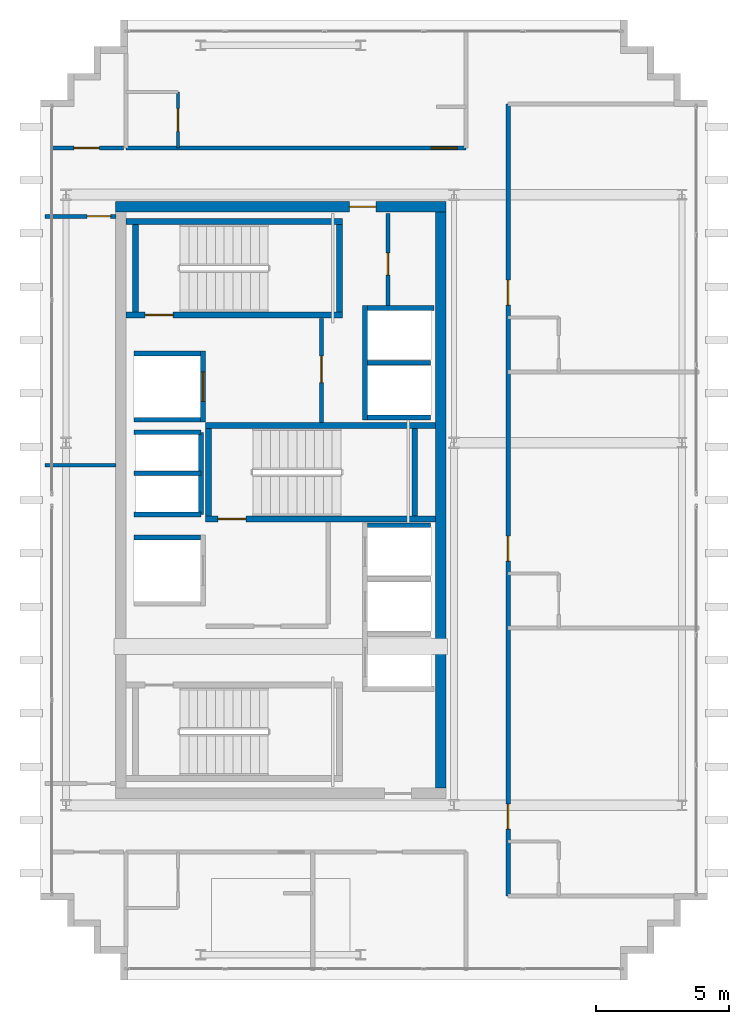
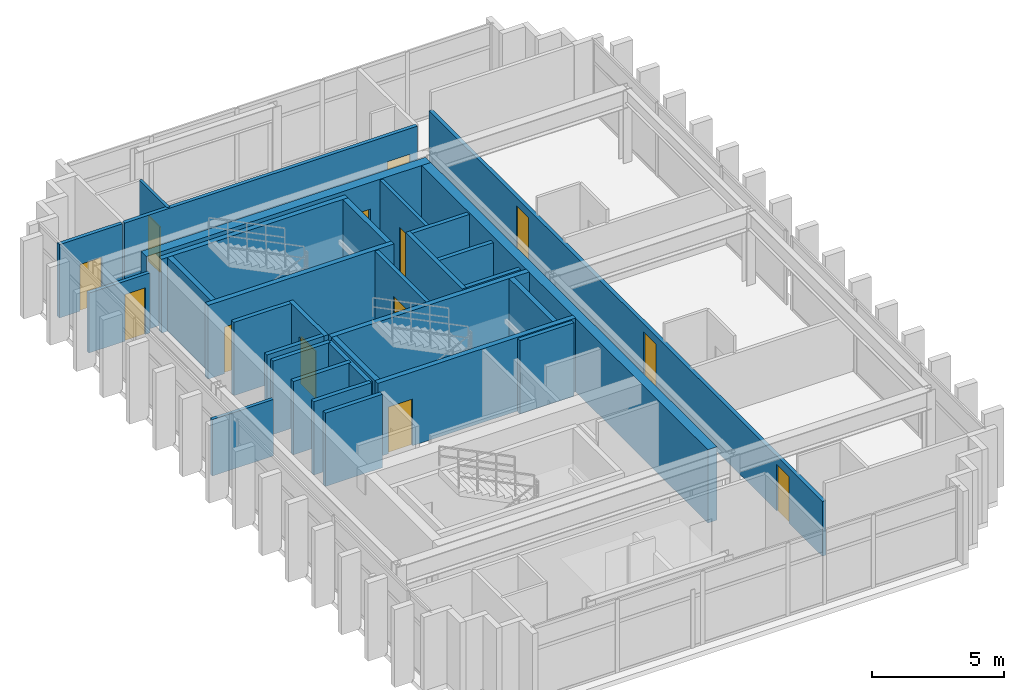
# One storey, part 13 of 15: 31 walls, 13 doors, 13 openings.
"""IFC4 building model written with IfcOpenShell, lengths in metres."""

from ifc_helpers import new_model, si_unit, direction, frame, frame_2d, origin, place, context, subcontext, project, spatial, rectangle, extrude, source, transform, mapped, material, layer, layer_set, type_object, element, fill, save


model = new_model("IFC4")

# Units and contexts
model_context = context("Model", 3, precision=1e-05, world=origin(), true_north=direction((0.0, 1.0)))
body_context = subcontext(model_context, "Body", "Model", "MODEL_VIEW")
ifc_project = project(units=[si_unit("LENGTHUNIT", "METRE"), si_unit("AREAUNIT", "SQUARE_METRE"), si_unit("VOLUMEUNIT", "CUBIC_METRE"), si_unit("PLANEANGLEUNIT", "RADIAN"), si_unit("MASSUNIT", "GRAM", prefix="KILO")], contexts=[model_context])

# Site, building, storey
site_placement = place(None, origin())
site = spatial("IfcSite", under=ifc_project, at=site_placement, CompositionType="ELEMENT")
building_placement = place(site_placement, origin())
building = spatial("IfcBuilding", under=site, at=building_placement, Name="Ocotamira Hotel", CompositionType="ELEMENT")
storey_placement = place(building_placement, frame((0.0, 0.0, 279.60009765625)))
storey = spatial("IfcBuildingStorey", under=building, at=storey_placement, Name="L71", CompositionType="ELEMENT", Elevation=279.60009765625)

# Wall, opening, door
ifc_material_1 = material(Name="Concrete C50/60", Category="concrete")
ifc_layer_1 = layer(ifc_material_1, 0.39990234375)
ifc_layer_set_1 = layer_set([ifc_layer_1], Name="Concrete C50/60")
wall_type_1 = type_object("IfcWallType", Name="WL-CORE-400", PredefinedType="SHEAR", material=ifc_layer_set_1)
wall_1_placement = place(storey_placement, frame((10.800048828125, 37.0, 0.0), z_axis=(0.0, 0.0, 1.0), x_axis=(1.0, 0.0, 0.0)))
wall_1 = element("IfcWall", 1, at=wall_1_placement, inside=storey, type_object=wall_type_1, Name="L71 Shear Core Wall WCORE-N", PredefinedType="SHEAR", context=body_context, shape_type="SweptSolid", body=[
    extrude(rectangle(XDim=12.39990234375, YDim=0.39990234375, at=frame_2d((6.199951171875, 0.0))), origin(), (0.0, 0.0, 1.0), 3.3798828125),
])
opening_1_placement = place(wall_1_placement, frame((8.780029296875, 0.0, 0.0)))
opening_1 = element("IfcOpeningElement", 2, at=opening_1_placement, cuts=wall_1, Name="Opening D-FR2", PredefinedType="OPENING", context=body_context, shape_type="SweptSolid", body=[
    extrude(rectangle(XDim=1.0, YDim=2.14990234375, at=frame_2d((0.5, 1.074951171875))), frame((0.0, 0.2099609375, 0.0), z_axis=(0.0, -1.0, 0.0), x_axis=(1.0, 0.0, 0.0)), (0.0, 0.0, 1.0), 0.419921875),
])
ifc_material_2 = material(Name="Fire-rated acoustic timber-veneer door", Category="wood")
door_type_1 = type_object("IfcDoorType", Name="DR-FIRE-1000", OperationType="NOTDEFINED", PredefinedType="DOOR", material=ifc_material_2)
shared_shape_1 = source(origin(), body_context, "Body", "SweptSolid", [
    extrude(rectangle(XDim=1.0, YDim=2.14990234375, at=frame_2d((0.5, 1.074951171875))), frame((0.0, 0.02490234375, 0.0), z_axis=(0.0, -1.0, 0.0), x_axis=(1.0, 0.0, 0.0)), (0.0, 0.0, 1.0), 0.050048828125),
])
door_1_placement = place(opening_1_placement, origin())
door_1 = element("IfcDoor", 3, at=door_1_placement, inside=storey, type_object=door_type_1, Name="L71 Door ID-L71-WLOB-N-D [ID-L71-WLOB-N-D]", OperationType="SINGLE_SWING_RIGHT", OverallHeight=2.14990234375, OverallWidth=1.0, PredefinedType="DOOR", context=body_context, shape_type="MappedRepresentation", body=[
    mapped(shared_shape_1, transform((0.0, 0.0, 0.0), scale=1.0)),
])
fill(opening_1, door_1)

# Wall
wall_2_placement = place(storey_placement, frame((23.0, 15.199951171875, 0.0), z_axis=(0.0, 0.0, 1.0), x_axis=(0.0, 1.0, 0.0)))
element("IfcWall", 4, at=wall_2_placement, inside=storey, type_object=wall_type_1, Name="L71 Shear Core Wall WCORE-E", PredefinedType="SHEAR", context=body_context, shape_type="SweptSolid", body=[
    extrude(rectangle(XDim=21.60009765625, YDim=0.39990234375, at=frame_2d((10.800048828125, 0.0))), origin(), (0.0, 0.0, 1.0), 3.3798828125),
])

# Wall, opening, door
ifc_material_3 = material(Name="Acoustic double-layer fire gypsum board partition", Category="gypsum")
ifc_layer_2 = layer(ifc_material_3, 0.159912109375)
ifc_layer_set_2 = layer_set([ifc_layer_2], Name="Acoustic double-layer fire gypsum board partition")
wall_type_2 = type_object("IfcWallType", Name="WL-FIRE-160", PredefinedType="PARTITIONING", material=ifc_layer_set_2)
wall_3_placement = place(storey_placement, frame((18.530029296875, 28.89990234375, 0.0), z_axis=(0.0, 0.0, 1.0), x_axis=(0.0, 1.0, 0.0)))
wall_3 = element("IfcWall", 5, at=wall_3_placement, inside=storey, type_object=wall_type_2, Name="L71 Interior Wall PW-L71-FSAE2-E", PredefinedType="PARTITIONING", context=body_context, shape_type="SweptSolid", body=[
    extrude(rectangle(XDim=3.900146484375, YDim=0.159912109375, at=frame_2d((1.9501953125, 0.0))), origin(), (0.0, 0.0, 1.0), 3.3798828125),
])
opening_2_placement = place(wall_3_placement, frame((1.5, 0.0, 0.0)))
opening_2 = element("IfcOpeningElement", 6, at=opening_2_placement, cuts=wall_3, Name="Opening D-FR2", PredefinedType="OPENING", context=body_context, shape_type="SweptSolid", body=[
    extrude(rectangle(XDim=1.0, YDim=2.14990234375, at=frame_2d((0.5, 1.074951171875))), frame((0.0, 0.08984375, 0.0), z_axis=(0.0, -1.0, 0.0), x_axis=(1.0, 0.0, 0.0)), (0.0, 0.0, 1.0), 0.179931640625),
])
door_2_placement = place(opening_2_placement, origin())
door_2 = element("IfcDoor", 7, at=door_2_placement, inside=storey, type_object=door_type_1, Name="L71 Door ID-L71-FSAE2-D [ID-L71-FSAE2-D]", OperationType="SINGLE_SWING_RIGHT", OverallHeight=2.14990234375, OverallWidth=1.0, PredefinedType="DOOR", context=body_context, shape_type="MappedRepresentation", body=[
    mapped(shared_shape_1, transform((0.0, 0.0, 0.0), scale=1.0)),
])
fill(opening_2, door_2)

wall_4_placement = place(storey_placement, frame((11.199951171875, 39.199951171875, 0.0), z_axis=(0.0, 0.0, 1.0), x_axis=(1.0, 0.0, 0.0)))
wall_4 = element("IfcWall", 8, at=wall_4_placement, inside=storey, type_object=wall_type_2, Name="L71 Interior Wall PW-L71-WP0N-CORRW", PredefinedType="PARTITIONING", context=body_context, shape_type="SweptSolid", body=[
    extrude(rectangle(XDim=12.75, YDim=0.159912109375, at=frame_2d((6.375, 0.0))), origin(), (0.0, 0.0, 1.0), 3.3798828125),
])
opening_3_placement = place(wall_4_placement, frame((11.449951171875, 0.0, 0.0)))
opening_3 = element("IfcOpeningElement", 9, at=opening_3_placement, cuts=wall_4, Name="Opening D-GR2", PredefinedType="OPENING", context=body_context, shape_type="SweptSolid", body=[
    extrude(rectangle(XDim=0.97998046875, YDim=2.199951171875, at=frame_2d((0.489990234375, 1.10009765625))), frame((0.0, 0.08984375, 0.0), z_axis=(0.0, -1.0, 0.0), x_axis=(1.0, 0.0, 0.0)), (0.0, 0.0, 1.0), 0.179931640625),
])
ifc_material_4 = material(Name="Solid-core walnut grand-suite entrance fire door", Category="wood")
door_type_2 = type_object("IfcDoorType", Name="DR-GUEST-980", OperationType="NOTDEFINED", PredefinedType="DOOR", material=ifc_material_4)
shared_shape_2 = source(origin(), body_context, "Body", "SweptSolid", [
    extrude(rectangle(XDim=0.97998046875, YDim=2.199951171875, at=frame_2d((0.489990234375, 1.10009765625))), frame((0.0, 0.02490234375, 0.0), z_axis=(0.0, -1.0, 0.0), x_axis=(1.0, 0.0, 0.0)), (0.0, 0.0, 1.0), 0.050048828125),
])
door_3_placement = place(opening_3_placement, origin())
door_3 = element("IfcDoor", 10, at=door_3_placement, inside=storey, type_object=door_type_2, Name="L71 Door ID-L71-WP0N-RMD1 [ID-L71-WP0N-RMD1]", OperationType="SINGLE_SWING_LEFT", OverallHeight=2.199951171875, OverallWidth=0.97998046875, PredefinedType="DOOR", context=body_context, shape_type="MappedRepresentation", body=[
    mapped(shared_shape_2, transform((0.0, 0.0, 0.0), scale=1.0)),
])
fill(opening_3, door_3)

# Wall, openings, doors
wall_5_placement = place(storey_placement, frame((25.530029296875, 11.14990234375, 0.0), z_axis=(0.0, 0.0, 1.0), x_axis=(0.0, 1.0, 0.0)))
wall_5 = element("IfcWall", 11, at=wall_5_placement, inside=storey, type_object=wall_type_2, Name="L71 Interior Wall PW-L71-WP-EASTW-FULL", PredefinedType="PARTITIONING", context=body_context, shape_type="SweptSolid", body=[
    extrude(rectangle(XDim=29.7001953125, YDim=0.159912109375, at=frame_2d((14.85009765625, 0.0))), origin(), (0.0, 0.0, 1.0), 2.52392578125),
])
opening_4_placement = place(wall_5_placement, frame((2.510009765625, 0.0, 0.0)))
opening_4 = element("IfcOpeningElement", 12, at=opening_4_placement, cuts=wall_5, Name="Opening D-GR1", PredefinedType="OPENING", context=body_context, shape_type="SweptSolid", body=[
    extrude(rectangle(XDim=0.93994140625, YDim=2.14990234375, at=frame_2d((0.469970703125, 1.074951171875))), frame((0.0, 0.08984375, 0.0), z_axis=(0.0, -1.0, 0.0), x_axis=(1.0, 0.0, 0.0)), (0.0, 0.0, 1.0), 0.179931640625),
])
opening_5_placement = place(wall_5_placement, frame((12.56005859375, 0.0, 0.0)))
opening_5 = element("IfcOpeningElement", 13, at=opening_5_placement, cuts=wall_5, Name="Opening D-GR1", PredefinedType="OPENING", context=body_context, shape_type="SweptSolid", body=[
    extrude(rectangle(XDim=0.93994140625, YDim=2.14990234375, at=frame_2d((0.469970703125, 1.074951171875))), frame((0.0, 0.08984375, 0.0), z_axis=(0.0, -1.0, 0.0), x_axis=(1.0, 0.0, 0.0)), (0.0, 0.0, 1.0), 0.179931640625),
])
opening_6_placement = place(wall_5_placement, frame((22.159912109375, 0.0, 0.0)))
opening_6 = element("IfcOpeningElement", 14, at=opening_6_placement, cuts=wall_5, Name="Opening D-GR1", PredefinedType="OPENING", context=body_context, shape_type="SweptSolid", body=[
    extrude(rectangle(XDim=0.93994140625, YDim=2.14990234375, at=frame_2d((0.469970703125, 1.074951171875))), frame((0.0, 0.08984375, 0.0), z_axis=(0.0, -1.0, 0.0), x_axis=(1.0, 0.0, 0.0)), (0.0, 0.0, 1.0), 0.179931640625),
])
ifc_material_5 = material(Name="Solid-core walnut suite entrance fire door", Category="wood")
door_type_3 = type_object("IfcDoorType", Name="DR-GUEST-940", OperationType="NOTDEFINED", PredefinedType="DOOR", material=ifc_material_5)
shared_shape_3 = source(origin(), body_context, "Body", "SweptSolid", [
    extrude(rectangle(XDim=0.93994140625, YDim=2.14990234375, at=frame_2d((0.469970703125, 1.074951171875))), frame((0.0, 0.02490234375, 0.0), z_axis=(0.0, -1.0, 0.0), x_axis=(1.0, 0.0, 0.0)), (0.0, 0.0, 1.0), 0.050048828125),
])
door_4_placement = place(opening_4_placement, origin())
door_4 = element("IfcDoor", 15, at=door_4_placement, inside=storey, type_object=door_type_3, Name="L71 Door ID-L71-WP-ERD1 [ID-L71-WP-ERD1]", OperationType="SINGLE_SWING_LEFT", OverallHeight=2.14990234375, OverallWidth=0.93994140625, PredefinedType="DOOR", context=body_context, shape_type="MappedRepresentation", body=[
    mapped(shared_shape_3, transform((0.0, 0.0, 0.0), scale=1.0)),
])
fill(opening_4, door_4)
door_5_placement = place(opening_5_placement, origin())
door_5 = element("IfcDoor", 16, at=door_5_placement, inside=storey, type_object=door_type_3, Name="L71 Door ID-L71-WP-ERD2 [ID-L71-WP-ERD2]", OperationType="SINGLE_SWING_RIGHT", OverallHeight=2.14990234375, OverallWidth=0.93994140625, PredefinedType="DOOR", context=body_context, shape_type="MappedRepresentation", body=[
    mapped(shared_shape_3, transform((0.0, 0.0, 0.0), scale=1.0)),
])
fill(opening_5, door_5)
door_6_placement = place(opening_6_placement, origin())
door_6 = element("IfcDoor", 17, at=door_6_placement, inside=storey, type_object=door_type_3, Name="L71 Door ID-L71-WP-ERD3 [ID-L71-WP-ERD3]", OperationType="SINGLE_SWING_LEFT", OverallHeight=2.14990234375, OverallWidth=0.93994140625, PredefinedType="DOOR", context=body_context, shape_type="MappedRepresentation", body=[
    mapped(shared_shape_3, transform((0.0, 0.0, 0.0), scale=1.0)),
])
fill(opening_6, door_6)

# Wall, opening, door
wall_6_placement = place(storey_placement, frame((8.35009765625, 39.199951171875, 0.0), z_axis=(0.0, 0.0, 1.0), x_axis=(1.0, 0.0, 0.0)))
wall_6 = element("IfcWall", 18, at=wall_6_placement, inside=storey, type_object=wall_type_2, Name="L71 Interior Wall PW-L71-WPCNW0-CW", PredefinedType="PARTITIONING", context=body_context, shape_type="SweptSolid", body=[
    extrude(rectangle(XDim=2.75, YDim=0.159912109375, at=frame_2d((1.375, 0.0))), origin(), (0.0, 0.0, 1.0), 3.3798828125),
])
opening_7_placement = place(wall_6_placement, frame((0.89501953125, 0.0, 0.0)))
opening_7 = element("IfcOpeningElement", 19, at=opening_7_placement, cuts=wall_6, Name="Opening D-SV4", PredefinedType="OPENING", context=body_context, shape_type="SweptSolid", body=[
    extrude(rectangle(XDim=0.9599609375, YDim=2.14990234375, at=frame_2d((0.47998046875, 1.074951171875))), frame((0.0, 0.08984375, 0.0), z_axis=(0.0, -1.0, 0.0), x_axis=(1.0, 0.0, 0.0)), (0.0, 0.0, 1.0), 0.179931640625),
])
ifc_material_6 = material(Name="Fire-rated accessible walnut salon door", Category="wood")
door_type_4 = type_object("IfcDoorType", Name="DR-SERV-960", OperationType="NOTDEFINED", PredefinedType="DOOR", material=ifc_material_6)
shared_shape_4 = source(origin(), body_context, "Body", "SweptSolid", [
    extrude(rectangle(XDim=0.9599609375, YDim=2.14990234375, at=frame_2d((0.47998046875, 1.074951171875))), frame((0.0, 0.02490234375, 0.0), z_axis=(0.0, -1.0, 0.0), x_axis=(1.0, 0.0, 0.0)), (0.0, 0.0, 1.0), 0.050048828125),
])
door_7_placement = place(opening_7_placement, origin())
door_7 = element("IfcDoor", 20, at=door_7_placement, inside=storey, type_object=door_type_4, Name="L71 Door ID-L71-WPCNW0-CD [ID-L71-WPCNW0-CD]", OperationType="SINGLE_SWING_LEFT", OverallHeight=2.14990234375, OverallWidth=0.9599609375, PredefinedType="DOOR", context=body_context, shape_type="MappedRepresentation", body=[
    mapped(shared_shape_4, transform((0.0, 0.0, 0.0), scale=1.0)),
])
fill(opening_7, door_7)

ifc_material_7 = material(Name="Moisture-resistant en-suite tile and gypsum partition", Category="gypsum")
ifc_layer_3 = layer(ifc_material_7, 0.1201171875)
ifc_layer_set_3 = layer_set([ifc_layer_3], Name="Moisture-resistant en-suite tile and gypsum partition")
wall_type_3 = type_object("IfcWallType", Name="WL-PART-120", PredefinedType="PARTITIONING", material=ifc_layer_set_3)
wall_7_placement = place(storey_placement, frame((13.14990234375, 39.199951171875, 0.0), z_axis=(0.0, 0.0, 1.0), x_axis=(0.0, 1.0, 0.0)))
wall_7 = element("IfcWall", 21, at=wall_7_placement, inside=storey, type_object=wall_type_3, Name="L71 Interior Wall PW-L71-WP0N-BAE1", PredefinedType="PARTITIONING", context=body_context, shape_type="SweptSolid", body=[
    extrude(rectangle(XDim=2.10009765625, YDim=0.1201171875, at=frame_2d((1.050048828125, 0.0))), origin(), (0.0, 0.0, 1.0), 3.3798828125),
])
opening_8_placement = place(wall_7_placement, frame((0.6201171875, 0.0, 0.0)))
opening_8 = element("IfcOpeningElement", 22, at=opening_8_placement, cuts=wall_7, Name="Opening D-BA1", PredefinedType="OPENING", context=body_context, shape_type="SweptSolid", body=[
    extrude(rectangle(XDim=0.860107421875, YDim=2.10009765625, at=frame_2d((0.43017578125, 1.050048828125))), frame((0.0, 0.070068359375, 0.0), z_axis=(0.0, -1.0, 0.0), x_axis=(1.0, 0.0, 0.0)), (0.0, 0.0, 1.0), 0.14013671875),
])
ifc_material_8 = material(Name="Moisture-sealed en-suite timber door", Category="wood")
door_type_5 = type_object("IfcDoorType", Name="DR-BATH-860", OperationType="NOTDEFINED", PredefinedType="DOOR", material=ifc_material_8)
shared_shape_5 = source(origin(), body_context, "Body", "SweptSolid", [
    extrude(rectangle(XDim=0.860107421875, YDim=2.10009765625, at=frame_2d((0.43017578125, 1.050048828125))), frame((0.0, 0.02490234375, 0.0), z_axis=(0.0, -1.0, 0.0), x_axis=(1.0, 0.0, 0.0)), (0.0, 0.0, 1.0), 0.050048828125),
])
door_8_placement = place(opening_8_placement, origin())
door_8 = element("IfcDoor", 23, at=door_8_placement, inside=storey, type_object=door_type_5, Name="L71 Door ID-L71-WP0N-BAD1 [ID-L71-WP0N-BAD1]", OperationType="SINGLE_SWING_RIGHT", OverallHeight=2.10009765625, OverallWidth=0.860107421875, PredefinedType="DOOR", context=body_context, shape_type="MappedRepresentation", body=[
    mapped(shared_shape_5, transform((0.0, 0.0, 0.0), scale=1.0)),
])
fill(opening_8, door_8)

ifc_material_9 = material(Name="Acoustic hospitality gypsum board partition", Category="gypsum")
ifc_layer_4 = layer(ifc_material_9, 0.14208984375)
ifc_layer_set_4 = layer_set([ifc_layer_4], Name="Acoustic hospitality gypsum board partition")
wall_type_4 = type_object("IfcWallType", Name="WL-PART-142", PredefinedType="PARTITIONING", material=ifc_layer_set_4)
wall_8_placement = place(storey_placement, frame((21.02001953125, 33.280029296875, 0.0), z_axis=(0.0, 0.0, 1.0), x_axis=(0.0, 1.0, 0.0)))
wall_8 = element("IfcWall", 24, at=wall_8_placement, inside=storey, type_object=wall_type_4, Name="L71 Interior Wall PW-L71-WC-NE-W", PredefinedType="PARTITIONING", context=body_context, shape_type="SweptSolid", body=[
    extrude(rectangle(XDim=3.469970703125, YDim=0.14208984375, at=frame_2d((1.73486328125, 0.0))), origin(), (0.0, 0.0, 1.0), 3.3798828125),
])
opening_9_placement = place(wall_8_placement, frame((1.14990234375, 0.0, 0.0)))
opening_9 = element("IfcOpeningElement", 25, at=opening_9_placement, cuts=wall_8, Name="Opening D-SV1", PredefinedType="OPENING", context=body_context, shape_type="SweptSolid", body=[
    extrude(rectangle(XDim=0.840087890625, YDim=2.10009765625, at=frame_2d((0.419921875, 1.050048828125))), frame((0.0, 0.0810546875, 0.0), z_axis=(0.0, -1.0, 0.0), x_axis=(1.0, 0.0, 0.0)), (0.0, 0.0, 1.0), 0.162109375),
])
ifc_material_10 = material(Name="Fire-rated painted steel service door", Category="steel")
door_type_6 = type_object("IfcDoorType", Name="DR-SERV-840", OperationType="NOTDEFINED", PredefinedType="DOOR", material=ifc_material_10)
shared_shape_6 = source(origin(), body_context, "Body", "SweptSolid", [
    extrude(rectangle(XDim=0.840087890625, YDim=2.10009765625, at=frame_2d((0.419921875, 1.050048828125))), frame((0.0, 0.02490234375, 0.0), z_axis=(0.0, -1.0, 0.0), x_axis=(1.0, 0.0, 0.0)), (0.0, 0.0, 1.0), 0.050048828125),
])
door_9_placement = place(opening_9_placement, origin())
door_9 = element("IfcDoor", 26, at=door_9_placement, inside=storey, type_object=door_type_6, Name="L71 Door ID-L71-WC-NE-D [ID-L71-WC-NE-D]", OperationType="SINGLE_SWING_LEFT", OverallHeight=2.10009765625, OverallWidth=0.840087890625, PredefinedType="DOOR", context=body_context, shape_type="MappedRepresentation", body=[
    mapped(shared_shape_6, transform((0.0, 0.0, 0.0), scale=1.0)),
])
fill(opening_9, door_9)

# Wall
wall_9_placement = place(storey_placement, frame((8.159912109375, 27.300048828125, 0.0), z_axis=(0.0, 0.0, 1.0), x_axis=(1.0, 0.0, 0.0)))
element("IfcWall", 27, at=wall_9_placement, inside=storey, type_object=wall_type_4, Name="L71 Interior Wall PW-L71-WP0W-DV1", PredefinedType="PARTITIONING", context=body_context, shape_type="SweptSolid", body=[
    extrude(rectangle(XDim=2.66015625, YDim=0.14208984375, at=frame_2d((1.330078125, 0.0))), origin(), (0.0, 0.0, 1.0), 2.600830078125),
])

# Wall, opening, door
ifc_layer_5 = layer(ifc_material_9, 0.14990234375)
ifc_layer_set_5 = layer_set([ifc_layer_5], Name="Acoustic hospitality gypsum board partition")
wall_type_5 = type_object("IfcWallType", Name="WL-PART-150", PredefinedType="PARTITIONING", material=ifc_layer_set_5)
wall_10_placement = place(storey_placement, frame((8.159912109375, 36.639892578125, 0.0), z_axis=(0.0, 0.0, 1.0), x_axis=(1.0, 0.0, 0.0)))
wall_10 = element("IfcWall", 28, at=wall_10_placement, inside=storey, type_object=wall_type_5, Name="L71 Interior Wall PW-L71-WP0W-WN", PredefinedType="PARTITIONING", context=body_context, shape_type="SweptSolid", body=[
    extrude(rectangle(XDim=2.66015625, YDim=0.14990234375, at=frame_2d((1.330078125, 0.0))), origin(), (0.0, 0.0, 1.0), 2.762939453125),
])
opening_10_placement = place(wall_10_placement, frame((1.580078125, 0.0, 0.0)))
opening_10 = element("IfcOpeningElement", 29, at=opening_10_placement, cuts=wall_10, Name="Opening D-SV2", PredefinedType="OPENING", context=body_context, shape_type="SweptSolid", body=[
    extrude(rectangle(XDim=0.8798828125, YDim=2.14990234375, at=frame_2d((0.43994140625, 1.074951171875))), frame((0.0, 0.0849609375, 0.0), z_axis=(0.0, -1.0, 0.0), x_axis=(1.0, 0.0, 0.0)), (0.0, 0.0, 1.0), 0.169921875),
])
door_type_7 = type_object("IfcDoorType", Name="DR-SERV-880", OperationType="NOTDEFINED", PredefinedType="DOOR", material=ifc_material_10)
shared_shape_7 = source(origin(), body_context, "Body", "SweptSolid", [
    extrude(rectangle(XDim=0.8798828125, YDim=2.14990234375, at=frame_2d((0.43994140625, 1.074951171875))), frame((0.0, 0.02490234375, 0.0), z_axis=(0.0, -1.0, 0.0), x_axis=(1.0, 0.0, 0.0)), (0.0, 0.0, 1.0), 0.050048828125),
])
door_10_placement = place(opening_10_placement, origin())
door_10 = element("IfcDoor", 30, at=door_10_placement, inside=storey, type_object=door_type_7, Name="L71 Door ID-L71-WP0W-DN [ID-L71-WP0W-DN]", OperationType="SINGLE_SWING_RIGHT", OverallHeight=2.14990234375, OverallWidth=0.8798828125, PredefinedType="DOOR", context=body_context, shape_type="MappedRepresentation", body=[
    mapped(shared_shape_7, transform((0.0, 0.0, 0.0), scale=1.0)),
])
fill(opening_10, door_10)

# Walls
ifc_material_11 = material(Name="Fire-rated gypsum shaftliner board assembly", Category="gypsum")
ifc_layer_6 = layer(ifc_material_11, 0.179931640625)
ifc_layer_set_6 = layer_set([ifc_layer_6], Name="Fire-rated gypsum shaftliner board assembly")
wall_type_6 = type_object("IfcWallType", Name="WL-SHAFT-180", PredefinedType="SOLIDWALL", material=ifc_layer_set_6)
wall_11_placement = place(storey_placement, frame((20.25, 25.050048828125, 0.0), z_axis=(0.0, 0.0, 1.0), x_axis=(1.0, 0.0, 0.0)))
element("IfcWall", 31, at=wall_11_placement, inside=storey, type_object=wall_type_6, Name="L71 Interior Wall PW-L71-LFW-BANK-high-N", PredefinedType="SOLIDWALL", context=body_context, shape_type="SweptSolid", body=[
    extrude(rectangle(XDim=2.360107421875, YDim=0.179931640625, at=frame_2d((1.18017578125, 0.0))), origin(), (0.0, 0.0, 1.0), 3.3798828125),
])
wall_12_placement = place(storey_placement, frame((20.159912109375, 29.0, 0.0), z_axis=(0.0, 0.0, 1.0), x_axis=(0.0, 1.0, 0.0)))
element("IfcWall", 32, at=wall_12_placement, inside=storey, type_object=wall_type_6, Name="L71 Interior Wall PW-L71-LFW-BANK-obs-F", PredefinedType="SOLIDWALL", context=body_context, shape_type="SweptSolid", body=[
    extrude(rectangle(XDim=4.2900390625, YDim=0.179931640625, at=frame_2d((2.14501953125, 0.0))), origin(), (0.0, 0.0, 1.0), 3.3798828125),
])
wall_13_placement = place(storey_placement, frame((20.25, 29.090087890625, 0.0), z_axis=(0.0, 0.0, 1.0), x_axis=(1.0, 0.0, 0.0)))
element("IfcWall", 33, at=wall_13_placement, inside=storey, type_object=wall_type_6, Name="L71 Interior Wall PW-L71-LFW-BANK-obs-S", PredefinedType="SOLIDWALL", context=body_context, shape_type="SweptSolid", body=[
    extrude(rectangle(XDim=2.360107421875, YDim=0.179931640625, at=frame_2d((1.18017578125, 0.0))), origin(), (0.0, 0.0, 1.0), 3.3798828125),
])
wall_14_placement = place(storey_placement, frame((20.25, 33.199951171875, 0.0), z_axis=(0.0, 0.0, 1.0), x_axis=(1.0, 0.0, 0.0)))
element("IfcWall", 34, at=wall_14_placement, inside=storey, type_object=wall_type_6, Name="L71 Interior Wall PW-L71-LFW-BANK-obs-N", PredefinedType="SOLIDWALL", context=body_context, shape_type="SweptSolid", body=[
    extrude(rectangle(XDim=2.5, YDim=0.179931640625, at=frame_2d((1.25, 0.0))), origin(), (0.0, 0.0, 1.0), 3.3798828125),
])
wall_15_placement = place(storey_placement, frame((20.25, 31.14501953125, 0.0), z_axis=(0.0, 0.0, 1.0), x_axis=(1.0, 0.0, 0.0)))
element("IfcWall", 35, at=wall_15_placement, inside=storey, type_object=wall_type_6, Name="L71 Interior Wall PW-L71-LFW-DIV-LF-OBS1", PredefinedType="SOLIDWALL", context=body_context, shape_type="SweptSolid", body=[
    extrude(rectangle(XDim=2.360107421875, YDim=0.179931640625, at=frame_2d((1.18017578125, 0.0))), origin(), (0.0, 0.0, 1.0), 3.3798828125),
])
for number, where, z_axis, x_axis, name in (
    (36, (11.5, 24.590087890625, 0.0), (0.0, 0.0, 1.0), (1.0, 0.0, 0.0), "L71 Interior Wall PW-L71-LFW-LF-FSAE1-N"),
    (37, (11.5, 29.010009765625, 0.0), (0.0, 0.0, 1.0), (1.0, 0.0, 0.0), "L71 Interior Wall PW-L71-LFW-LF-FSAE2-S"),
    (38, (11.5, 31.489990234375, 0.0), (0.0, 0.0, 1.0), (1.0, 0.0, 0.0), "L71 Interior Wall PW-L71-LFW-LF-FSAE2-N"),
):
    element("IfcWall", number, at=place(storey_placement, frame(where, z_axis=z_axis, x_axis=x_axis)), inside=storey, type_object=wall_type_6, Name=name, PredefinedType="SOLIDWALL", context=body_context, shape_type="SweptSolid", body=[
        extrude(rectangle(XDim=2.5, YDim=0.179931640625, at=frame_2d((1.25, 0.0))), origin(), (0.0, 0.0, 1.0), 3.3798828125),
    ])

# Wall, opening, door
wall_16_placement = place(storey_placement, frame((14.090087890625, 28.919921875, 0.0), z_axis=(0.0, 0.0, 1.0), x_axis=(0.0, 1.0, 0.0)))
wall_16 = element("IfcWall", 39, at=wall_16_placement, inside=storey, type_object=wall_type_6, Name="L71 Interior Wall PW-L71-LFW-LF-FSAE2-E", PredefinedType="SOLIDWALL", context=body_context, shape_type="SweptSolid", body=[
    extrude(rectangle(XDim=2.66015625, YDim=0.179931640625, at=frame_2d((1.330078125, 0.0))), origin(), (0.0, 0.0, 1.0), 3.3798828125),
])
opening_11_placement = place(wall_16_placement, frame((0.780029296875, 0.0, 0.0)))
opening_11 = element("IfcOpeningElement", 40, at=opening_11_placement, cuts=wall_16, Name="Opening LD-LF-FSAE2", PredefinedType="OPENING", context=body_context, shape_type="SweptSolid", body=[
    extrude(rectangle(XDim=1.10009765625, YDim=2.199951171875, at=frame_2d((0.550048828125, 1.10009765625))), frame((0.0, 0.10009765625, 0.0), z_axis=(0.0, -1.0, 0.0), x_axis=(1.0, 0.0, 0.0)), (0.0, 0.0, 1.0), 0.199951171875),
])
ifc_material_12 = material(Name="Brushed pale-metal stainless elevator landing door", Category="steel")
door_type_8 = type_object("IfcDoorType", Name="DR-LIFT-1100", OperationType="NOTDEFINED", PredefinedType="DOOR", material=ifc_material_12)
shared_shape_8 = source(origin(), body_context, "Body", "SweptSolid", [
    extrude(rectangle(XDim=1.10009765625, YDim=2.199951171875, at=frame_2d((0.550048828125, 1.10009765625))), frame((0.0, 0.02490234375, 0.0), z_axis=(0.0, -1.0, 0.0), x_axis=(1.0, 0.0, 0.0)), (0.0, 0.0, 1.0), 0.050048828125),
])
door_11_placement = place(opening_11_placement, origin())
door_11 = element("IfcDoor", 41, at=door_11_placement, inside=storey, type_object=door_type_8, Name="L71 Landing Door LD-LF-FSAE2 [ID-L71-LD-LF-FSAE2]", OperationType="DOUBLE_DOOR_SLIDING", OverallHeight=2.199951171875, OverallWidth=1.10009765625, PredefinedType="DOOR", context=body_context, shape_type="MappedRepresentation", body=[
    mapped(shared_shape_8, transform((0.0, 0.0, 0.0), scale=1.0)),
])
fill(opening_11, door_11)

# Walls
for number, where, z_axis, x_axis, name in (
    (42, (11.5, 25.4599609375, 0.0), (0.0, 0.0, 1.0), (1.0, 0.0, 0.0), "L71 Interior Wall PW-L71-RSW-S"),
    (43, (11.5, 27.0, 0.0), (0.0, 0.0, 1.0), (1.0, 0.0, 0.0), "L71 Interior Wall PW-L71-RSW-MID"),
    (44, (11.5, 28.5400390625, 0.0), (0.0, 0.0, 1.0), (1.0, 0.0, 0.0), "L71 Interior Wall PW-L71-RSW-N"),
):
    element("IfcWall", number, at=place(storey_placement, frame(where, z_axis=z_axis, x_axis=x_axis)), inside=storey, type_object=wall_type_6, Name=name, PredefinedType="SOLIDWALL", context=body_context, shape_type="SweptSolid", body=[
        extrude(rectangle(XDim=2.510009765625, YDim=0.179931640625, at=frame_2d((1.2548828125, 0.0))), origin(), (0.0, 0.0, 1.0), 3.3798828125),
    ])
wall_17_placement = place(storey_placement, frame((14.010009765625, 25.4599609375, 0.0), z_axis=(0.0, 0.0, 1.0), x_axis=(0.0, 1.0, 0.0)))
element("IfcWall", 45, at=wall_17_placement, inside=storey, type_object=wall_type_6, Name="L71 Interior Wall PW-L71-RSW-E", PredefinedType="SOLIDWALL", context=body_context, shape_type="SweptSolid", body=[
    extrude(rectangle(XDim=3.080078125, YDim=0.179931640625, at=frame_2d((1.5400390625, 0.0))), origin(), (0.0, 0.0, 1.0), 3.3798828125),
])

# Wall, opening, door
ifc_layer_7 = layer(ifc_material_1, 0.219970703125)
ifc_layer_set_7 = layer_set([ifc_layer_7], Name="Concrete C50/60")
wall_type_7 = type_object("IfcWallType", Name="WL-STAIR-220", PredefinedType="SHEAR", material=ifc_layer_set_7)
wall_18_placement = place(storey_placement, frame((11.199951171875, 32.93994140625, 0.0), z_axis=(0.0, 0.0, 1.0), x_axis=(1.0, 0.0, 0.0)))
wall_18 = element("IfcWall", 46, at=wall_18_placement, inside=storey, type_object=wall_type_7, Name="L71 Stair Shaft Structural Wall ST-2-S", PredefinedType="SHEAR", context=body_context, shape_type="SweptSolid", body=[
    extrude(rectangle(XDim=8.110107421875, YDim=0.219970703125, at=frame_2d((4.05517578125, 0.0))), origin(), (0.0, 0.0, 1.0), 3.39990234375),
])
opening_12_placement = place(wall_18_placement, frame((0.719970703125, 0.0, 0.0)))
opening_12 = element("IfcOpeningElement", 47, at=opening_12_placement, cuts=wall_18, Name="Opening D-ST2", PredefinedType="OPENING", context=body_context, shape_type="SweptSolid", body=[
    extrude(rectangle(XDim=1.050048828125, YDim=2.14990234375, at=frame_2d((0.52490234375, 1.074951171875))), frame((0.0, 0.1201171875, 0.0), z_axis=(0.0, -1.0, 0.0), x_axis=(1.0, 0.0, 0.0)), (0.0, 0.0, 1.0), 0.239990234375),
])
ifc_material_13 = material(Name="Insulated painted hollow-metal fire exit door", Category="steel")
door_type_9 = type_object("IfcDoorType", Name="DR-STAIR-1050", OperationType="NOTDEFINED", PredefinedType="DOOR", material=ifc_material_13)
shared_shape_9 = source(origin(), body_context, "Body", "SweptSolid", [
    extrude(rectangle(XDim=1.050048828125, YDim=2.14990234375, at=frame_2d((0.52490234375, 1.074951171875))), frame((0.0, 0.02490234375, 0.0), z_axis=(0.0, -1.0, 0.0), x_axis=(1.0, 0.0, 0.0)), (0.0, 0.0, 1.0), 0.050048828125),
])
door_12_placement = place(opening_12_placement, origin())
door_12 = element("IfcDoor", 48, at=door_12_placement, inside=storey, type_object=door_type_9, Name="L71 Door ID-L71-STD-ST-2 [ID-L71-STD-ST-2]", OperationType="SINGLE_SWING_LEFT", OverallHeight=2.14990234375, OverallWidth=1.050048828125, PredefinedType="DOOR", context=body_context, shape_type="MappedRepresentation", body=[
    mapped(shared_shape_9, transform((0.0, 0.0, 0.0), scale=1.0)),
])
fill(opening_12, door_12)

# Walls
wall_19_placement = place(storey_placement, frame((11.199951171875, 36.43994140625, 0.0), z_axis=(0.0, 0.0, 1.0), x_axis=(1.0, 0.0, 0.0)))
element("IfcWall", 49, at=wall_19_placement, inside=storey, type_object=wall_type_7, Name="L71 Stair Shaft Structural Wall ST-2-N", PredefinedType="SHEAR", context=body_context, shape_type="SweptSolid", body=[
    extrude(rectangle(XDim=8.110107421875, YDim=0.219970703125, at=frame_2d((4.05517578125, 0.0))), origin(), (0.0, 0.0, 1.0), 3.39990234375),
])
for number, where, z_axis, x_axis, name in (
    (50, (11.56005859375, 33.050048828125, 0.0), (0.0, 0.0, 1.0), (0.0, 1.0, 0.0), "L71 Stair Shaft Structural Wall ST-2-W"),
    (51, (19.199951171875, 33.050048828125, 0.0), (0.0, 0.0, 1.0), (0.0, 1.0, 0.0), "L71 Stair Shaft Structural Wall ST-2-E"),
):
    element("IfcWall", number, at=place(storey_placement, frame(where, z_axis=z_axis, x_axis=x_axis)), inside=storey, type_object=wall_type_7, Name=name, PredefinedType="SHEAR", context=body_context, shape_type="SweptSolid", body=[
        extrude(rectangle(XDim=3.280029296875, YDim=0.219970703125, at=frame_2d((1.64013671875, 0.0))), origin(), (0.0, 0.0, 1.0), 3.39990234375),
    ])

# Wall, opening, door
wall_20_placement = place(storey_placement, frame((14.179931640625, 25.2900390625, 0.0), z_axis=(0.0, 0.0, 1.0), x_axis=(1.0, 0.0, 0.0)))
wall_20 = element("IfcWall", 52, at=wall_20_placement, inside=storey, type_object=wall_type_7, Name="L71 Stair Shaft Structural Wall ST-3-S", PredefinedType="SHEAR", context=body_context, shape_type="SweptSolid", body=[
    extrude(rectangle(XDim=8.6201171875, YDim=0.219970703125, at=frame_2d((4.31005859375, 0.0))), origin(), (0.0, 0.0, 1.0), 3.39990234375),
])
opening_13_placement = place(wall_20_placement, frame((0.469970703125, 0.0, 0.0)))
opening_13 = element("IfcOpeningElement", 53, at=opening_13_placement, cuts=wall_20, Name="Opening D-ST2", PredefinedType="OPENING", context=body_context, shape_type="SweptSolid", body=[
    extrude(rectangle(XDim=1.050048828125, YDim=2.14990234375, at=frame_2d((0.52490234375, 1.074951171875))), frame((0.0, 0.1201171875, 0.0), z_axis=(0.0, -1.0, 0.0), x_axis=(1.0, 0.0, 0.0)), (0.0, 0.0, 1.0), 0.239990234375),
])
door_13_placement = place(opening_13_placement, origin())
door_13 = element("IfcDoor", 54, at=door_13_placement, inside=storey, type_object=door_type_9, Name="L71 Door ID-L71-STD-ST-3 [ID-L71-STD-ST-3]", OperationType="SINGLE_SWING_RIGHT", OverallHeight=2.14990234375, OverallWidth=1.050048828125, PredefinedType="DOOR", context=body_context, shape_type="MappedRepresentation", body=[
    mapped(shared_shape_9, transform((0.0, 0.0, 0.0), scale=1.0)),
])
fill(opening_13, door_13)

# Walls
wall_21_placement = place(storey_placement, frame((14.179931640625, 28.7900390625, 0.0), z_axis=(0.0, 0.0, 1.0), x_axis=(1.0, 0.0, 0.0)))
element("IfcWall", 55, at=wall_21_placement, inside=storey, type_object=wall_type_7, Name="L71 Stair Shaft Structural Wall ST-3-N", PredefinedType="SHEAR", context=body_context, shape_type="SweptSolid", body=[
    extrude(rectangle(XDim=8.6201171875, YDim=0.219970703125, at=frame_2d((4.31005859375, 0.0))), origin(), (0.0, 0.0, 1.0), 3.39990234375),
])
for number, where, z_axis, x_axis, name in (
    (56, (14.2900390625, 25.39990234375, 0.0), (0.0, 0.0, 1.0), (0.0, 1.0, 0.0), "L71 Stair Shaft Structural Wall ST-3-W"),
    (57, (22.030029296875, 25.39990234375, 0.0), (0.0, 0.0, 1.0), (0.0, 1.0, 0.0), "L71 Stair Shaft Structural Wall ST-3-E"),
):
    element("IfcWall", number, at=place(storey_placement, frame(where, z_axis=z_axis, x_axis=x_axis)), inside=storey, type_object=wall_type_7, Name=name, PredefinedType="SHEAR", context=body_context, shape_type="SweptSolid", body=[
        extrude(rectangle(XDim=3.280029296875, YDim=0.219970703125, at=frame_2d((1.64013671875, 0.0))), origin(), (0.0, 0.0, 1.0), 3.39990234375),
    ])

save(model, "model.ifc")
